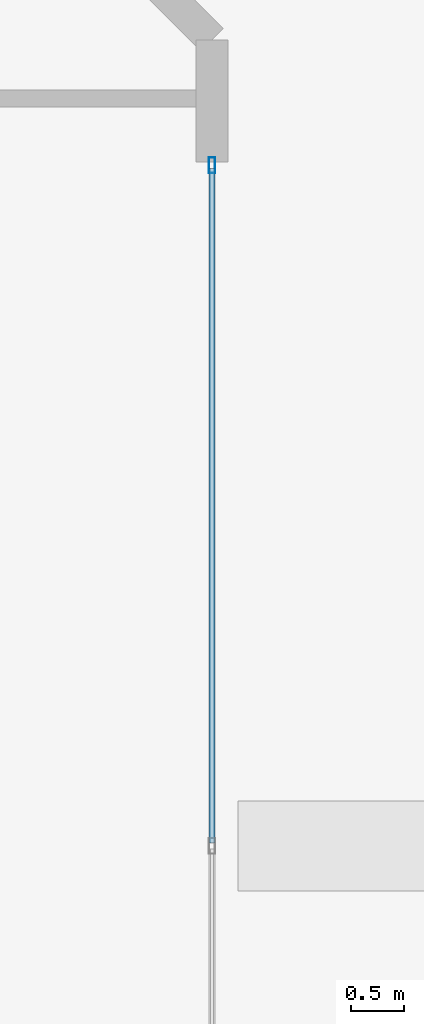
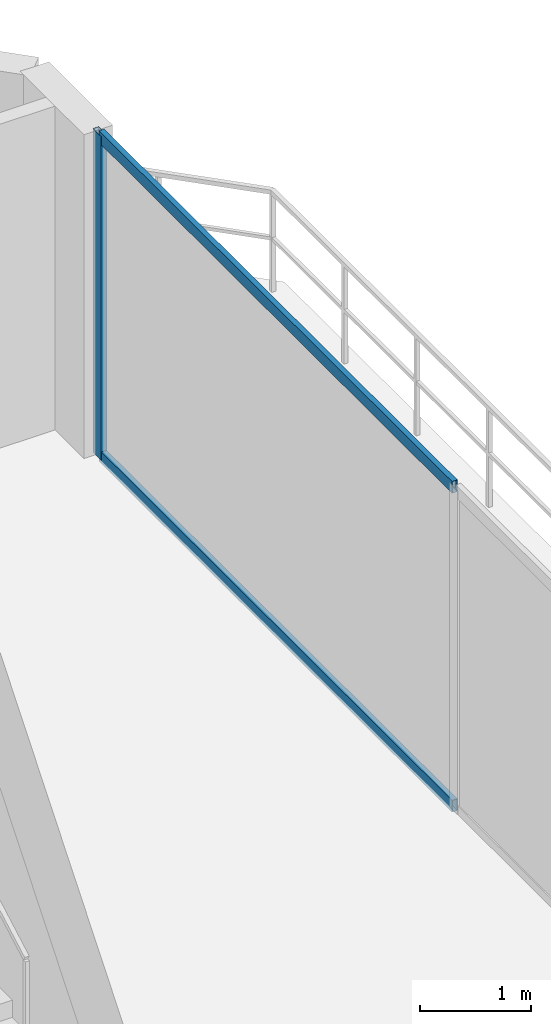
# One storey, part 7 of 12: 3 members, 1 element without a shape of its own.
"""IFC4 building model written with IfcOpenShell, lengths in metres."""

from ifc_helpers import new_model, si_unit, direction, frame, origin, origin_2d, place, context, subcontext, project, spatial, hollow_rectangle, extrude, material, layer, layer_set, material_profile, profile_set, type_object, element, aggregate, save


model = new_model("IFC4")

# Units and contexts
model_context = context("Model", 3, precision=1e-05, world=origin(), true_north=direction((0.0, 1.0)))
body_context = subcontext(model_context, "Body", "Model", "MODEL_VIEW")
ifc_project = project(units=[si_unit("LENGTHUNIT", "METRE"), si_unit("AREAUNIT", "SQUARE_METRE"), si_unit("VOLUMEUNIT", "CUBIC_METRE"), si_unit("PLANEANGLEUNIT", "RADIAN"), si_unit("MASSUNIT", "GRAM", prefix="KILO")], contexts=[model_context])

# Site, building, storey
site_placement = place(None, origin())
site = spatial("IfcSite", under=ifc_project, at=site_placement, CompositionType="ELEMENT")
building_placement = place(site_placement, origin())
building = spatial("IfcBuilding", under=site, at=building_placement, Name="Zuhayl Quay Hotel", CompositionType="ELEMENT")
storey_placement = place(building_placement, frame((0.0, 0.0, 312.449951171875)))
storey = spatial("IfcBuildingStorey", under=building, at=storey_placement, Name="Crown 5", CompositionType="ELEMENT", Elevation=312.449951171875)

# Curtain wall, members
ifc_material_1 = material(Name="Anodised Aluminium 6063-T6", Category="aluminium")
ifc_layer = layer(ifc_material_1, 0.159912109375, Name="Anodised Aluminium 6063-T6", Category="aluminium")
ifc_layer_set = layer_set([ifc_layer], Name="Anodised Aluminium 6063-T6")
curtain_wall_type = type_object("IfcCurtainWallType", Name="CW_SYS_CRN", PredefinedType="USERDEFINED", material=ifc_layer_set)
curtain_wall_placement = place(storey_placement, origin())
curtain_wall = element("IfcCurtainWall", 1, at=curtain_wall_placement, inside=storey, type_object=curtain_wall_type, Name="Crown 5 Curtain Wall ENV_CR5_E5_CW1", ObjectType="UNITISED CURTAIN WALL", PredefinedType="USERDEFINED")
ifc_material_2 = material(Name="Black-anodised aluminium 6063-T6", Category="aluminium")
ifc_material_profile_1 = material_profile(ifc_material_2, hollow_rectangle(XDim=0.06005859375, YDim=0.14990234375, WallThickness=0.00341796875, at=origin_2d()), Name="ALU150X60")
ifc_profile_set_1 = profile_set([ifc_material_profile_1], Name="Black-anodised aluminium 6063-T6")
member_type_1 = type_object("IfcMemberType", Name="MB_CW_MUL_150", PredefinedType="MULLION", material=ifc_profile_set_1)
member_1_placement = place(storey_placement, frame((6.60009765625, 34.820068359375, 0.0), z_axis=(0.0, 0.0, 1.0), x_axis=(1.0, 0.0, 0.0)))
member_1 = element("IfcMember", 2, at=member_1_placement, type_object=member_type_1, Name="CW-CRN mullion 1", PredefinedType="MULLION", context=body_context, shape_type="SweptSolid", body=[
    extrude(hollow_rectangle(XDim=0.06005859375, YDim=0.14990234375, WallThickness=0.00341796875, at=origin_2d()), origin(), (0.0, 0.0, 1.0), 3.56005859375),
])
ifc_material_profile_2 = material_profile(ifc_material_2, hollow_rectangle(XDim=0.054931640625, YDim=0.1298828125, WallThickness=0.0029296875, at=origin_2d()), Name="ALU130X55")
ifc_profile_set_2 = profile_set([ifc_material_profile_2], Name="Black-anodised aluminium 6063-T6")
member_type_2 = type_object("IfcMemberType", Name="MB_CW_TRN_130", PredefinedType="USERDEFINED", material=ifc_profile_set_2)
member_2_placement = place(storey_placement, frame((6.60009765625, 34.7900390625, 0.027587890625), z_axis=(0.0, -1.0, 0.0), x_axis=(1.0, 0.0, 0.0)))
member_2 = element("IfcMember", 3, at=member_2_placement, type_object=member_type_2, Name="CW-CRN transom 1.1", ObjectType="TRANSOM", PredefinedType="USERDEFINED", context=body_context, shape_type="SweptSolid", body=[
    extrude(hollow_rectangle(XDim=0.054931640625, YDim=0.1298828125, WallThickness=0.0029296875, at=origin_2d()), origin(), (0.0, 0.0, 1.0), 6.360107421875),
])
member_3_placement = place(storey_placement, frame((6.60009765625, 34.7900390625, 3.532470703125), z_axis=(0.0, -1.0, 0.0), x_axis=(1.0, 0.0, 0.0)))
member_3 = element("IfcMember", 4, at=member_3_placement, type_object=member_type_2, Name="CW-CRN transom 1.2", ObjectType="TRANSOM", PredefinedType="USERDEFINED", context=body_context, shape_type="SweptSolid", body=[
    extrude(hollow_rectangle(XDim=0.054931640625, YDim=0.1298828125, WallThickness=0.0029296875, at=origin_2d()), origin(), (0.0, 0.0, 1.0), 6.360107421875),
])
aggregate(curtain_wall, [member_1, member_2, member_3])

save(model, "model.ifc")
